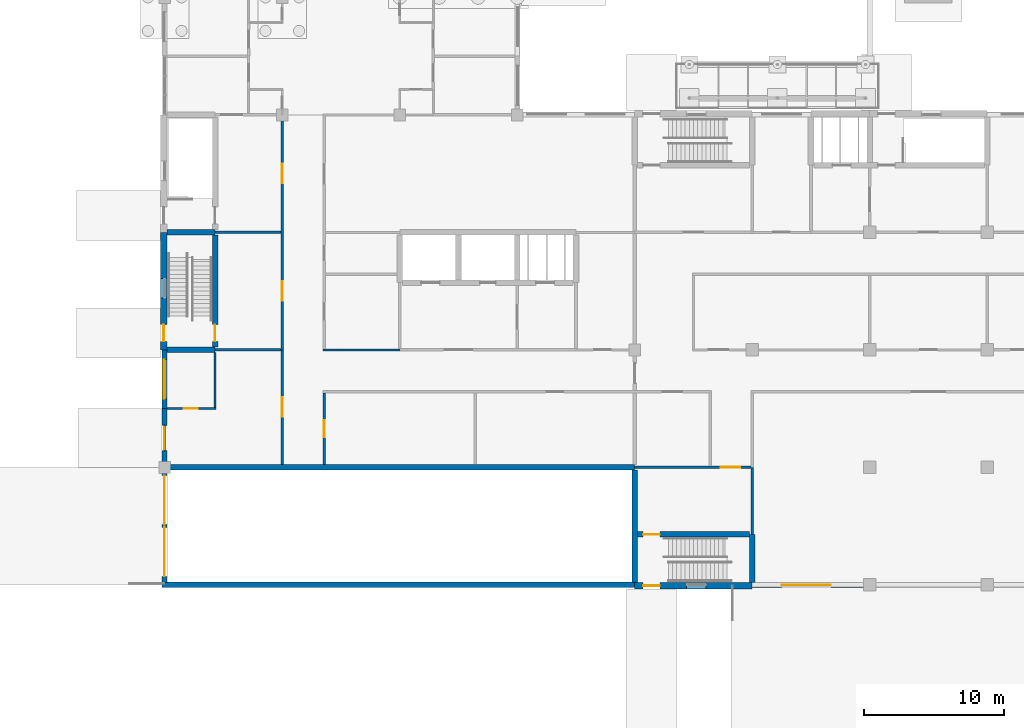
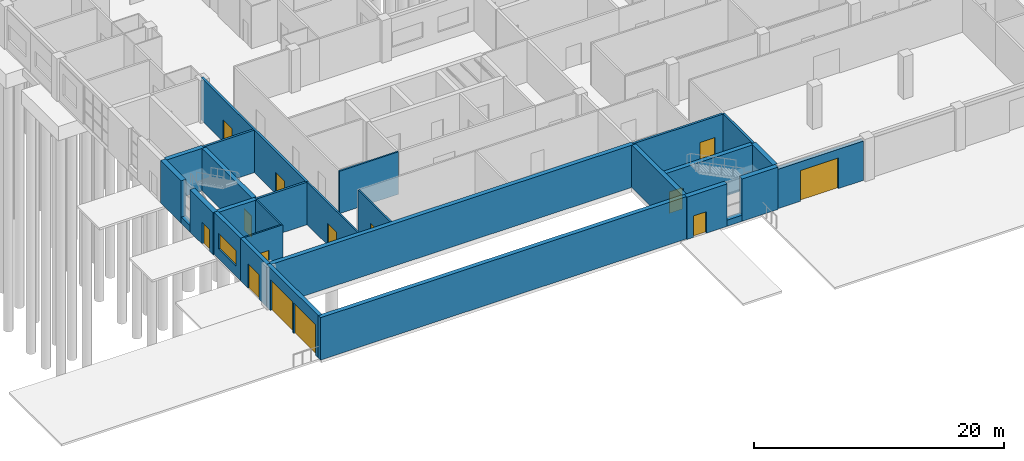
# One storey, part 94 of 138: 28 walls, 14 doors, 1 window, 15 openings.
"""IFC4 building model written with IfcOpenShell, lengths in metres."""

from ifc_helpers import new_model, si_unit, direction, frame, frame_2d, origin, place, context, subcontext, project, spatial, rectangle, extrude, material, layer, layer_set, type_object, element, fill, save


model = new_model("IFC4")

# Units and contexts
model_context = context("Model", 3, precision=1e-05, world=origin(), true_north=direction((0.0, 1.0)))
body_context = subcontext(model_context, "Body", "Model", "MODEL_VIEW")
ifc_project = project(units=[si_unit("LENGTHUNIT", "METRE"), si_unit("AREAUNIT", "SQUARE_METRE"), si_unit("VOLUMEUNIT", "CUBIC_METRE"), si_unit("PLANEANGLEUNIT", "RADIAN"), si_unit("MASSUNIT", "GRAM", prefix="KILO")], contexts=[model_context])

# Site, building, storey
site_placement = place(None, origin())
site = spatial("IfcSite", under=ifc_project, at=site_placement, CompositionType="ELEMENT")
building_placement = place(site_placement, origin())
building = spatial("IfcBuilding", under=site, at=building_placement, Name="Yavir Park General Hospital", CompositionType="ELEMENT")
storey_placement = place(building_placement, origin())
storey = spatial("IfcBuildingStorey", under=building, at=storey_placement, Name="L00", CompositionType="ELEMENT", Elevation=0.0)

# Wall, opening, door
ifc_material_1 = material(Name="Double gypsum board fire partition on steel studs", Category="steel")
ifc_layer_1 = layer(ifc_material_1, 0.199951171875)
ifc_layer_set_1 = layer_set([ifc_layer_1], Name="Double gypsum board fire partition on steel studs")
wall_type_1 = type_object("IfcWallType", Name="Fire-rated partition 200, EI 60", PredefinedType="PARTITIONING", material=ifc_layer_set_1)
wall_1_placement = place(storey_placement, frame((33.60009765625, 8.39990234375, 0.0), z_axis=(0.0, 0.0, 1.0), x_axis=(1.0, 0.0, 0.0)))
wall_1 = element("IfcWall", 1, at=wall_1_placement, inside=storey, type_object=wall_type_1, Name="FP20 L00-009", PredefinedType="PARTITIONING", context=body_context, shape_type="SweptSolid", body=[
    extrude(rectangle(XDim=8.2998046875, YDim=0.199951171875, at=frame_2d((4.14990234375, 0.0))), origin(), (0.0, 0.0, 1.0), 4.139892578125),
])
opening_1_placement = place(wall_1_placement, frame((6.14990234375, 0.0, 0.0)))
opening_1 = element("IfcOpeningElement", 2, at=opening_1_placement, cuts=wall_1, Name="Opening L00.D008", PredefinedType="OPENING", context=body_context, shape_type="SweptSolid", body=[
    extrude(rectangle(XDim=1.39990234375, YDim=2.10009765625, at=frame_2d((0.699951171875, 1.050048828125))), frame((0.0, 0.10986328125, 0.0), z_axis=(0.0, -1.0, 0.0), x_axis=(1.0, 0.0, 0.0)), (0.0, 0.0, 1.0), 0.219970703125),
])
ifc_material_2 = material(Name="Steel frame, fire-resisting leaves with vision panels", Category="steel")
door_type_1 = type_object("IfcDoorType", Name="Double fire door with vision panels 1400 x 2100, EI 60", OperationType="DOUBLE_DOOR_SINGLE_SWING", PredefinedType="DOOR", material=ifc_material_2)
door_1_placement = place(opening_1_placement, origin())
door_1 = element("IfcDoor", 3, at=door_1_placement, inside=storey, type_object=door_type_1, Name="L00.D008", OperationType="SINGLE_SWING_RIGHT", OverallHeight=2.10009765625, OverallWidth=1.39990234375, PredefinedType="DOOR", context=body_context, shape_type="SweptSolid", body=[
    extrude(rectangle(XDim=1.39990234375, YDim=2.10009765625, at=frame_2d((0.699951171875, 1.050048828125))), frame((0.0, 0.030029296875, 0.0), z_axis=(0.0, -1.0, 0.0), x_axis=(1.0, 0.0, 0.0)), (0.0, 0.0, 1.0), 0.06005859375),
])
fill(opening_1, door_1)

# Walls
for number, where, z_axis, x_axis, name in (
    (4, (3.60009765625, 16.800048828125, 0.0), (0.0, 0.0, 1.0), (1.0, 0.0, 0.0), "FP20 L00-031"),
    (5, (3.60009765625, 25.199951171875, 0.0), (0.0, 0.0, 1.0), (1.0, 0.0, 0.0), "FP20 L00-058"),
):
    element("IfcWall", number, at=place(storey_placement, frame(where, z_axis=z_axis, x_axis=x_axis)), inside=storey, type_object=wall_type_1, Name=name, PredefinedType="PARTITIONING", context=body_context, shape_type="SweptSolid", body=[
        extrude(rectangle(XDim=4.699951171875, YDim=0.199951171875, at=frame_2d((2.35009765625, 0.0))), origin(), (0.0, 0.0, 1.0), 4.139892578125),
    ])

# Wall, openings, doors
wall_2_placement = place(storey_placement, frame((8.39990234375, 16.800048828125, 0.0), z_axis=(0.0, 0.0, 1.0), x_axis=(0.0, 1.0, 0.0)))
wall_2 = element("IfcWall", 6, at=wall_2_placement, inside=storey, type_object=wall_type_1, Name="FP20 L00-279", PredefinedType="PARTITIONING", context=body_context, shape_type="SweptSolid", body=[
    extrude(rectangle(XDim=16.800048828125, YDim=0.199951171875, at=frame_2d((8.39990234375, 0.0))), origin(), (0.0, 0.0, 1.0), 4.139892578125),
])
opening_2_placement = place(wall_2_placement, frame((3.5, 0.0, 0.0)))
opening_2 = element("IfcOpeningElement", 7, at=opening_2_placement, cuts=wall_2, Name="Opening L00.D146", PredefinedType="OPENING", context=body_context, shape_type="SweptSolid", body=[
    extrude(rectangle(XDim=1.39990234375, YDim=2.10009765625, at=frame_2d((0.699951171875, 1.050048828125))), frame((0.0, 0.10986328125, 0.0), z_axis=(0.0, -1.0, 0.0), x_axis=(1.0, 0.0, 0.0)), (0.0, 0.0, 1.0), 0.219970703125),
])
opening_3_placement = place(wall_2_placement, frame((11.89990234375, 0.0, 0.0)))
opening_3 = element("IfcOpeningElement", 8, at=opening_3_placement, cuts=wall_2, Name="Opening L00.D147", PredefinedType="OPENING", context=body_context, shape_type="SweptSolid", body=[
    extrude(rectangle(XDim=1.39990234375, YDim=2.10009765625, at=frame_2d((0.699951171875, 1.050048828125))), frame((0.0, 0.10986328125, 0.0), z_axis=(0.0, -1.0, 0.0), x_axis=(1.0, 0.0, 0.0)), (0.0, 0.0, 1.0), 0.219970703125),
])
door_2_placement = place(opening_2_placement, origin())
door_2 = element("IfcDoor", 9, at=door_2_placement, inside=storey, type_object=door_type_1, Name="L00.D146", OperationType="SINGLE_SWING_RIGHT", OverallHeight=2.10009765625, OverallWidth=1.39990234375, PredefinedType="DOOR", context=body_context, shape_type="SweptSolid", body=[
    extrude(rectangle(XDim=1.39990234375, YDim=2.10009765625, at=frame_2d((0.699951171875, 1.050048828125))), frame((0.0, 0.030029296875, 0.0), z_axis=(0.0, -1.0, 0.0), x_axis=(1.0, 0.0, 0.0)), (0.0, 0.0, 1.0), 0.06005859375),
])
fill(opening_2, door_2)
door_3_placement = place(opening_3_placement, origin())
door_3 = element("IfcDoor", 10, at=door_3_placement, inside=storey, type_object=door_type_1, Name="L00.D147", OperationType="SINGLE_SWING_RIGHT", OverallHeight=2.10009765625, OverallWidth=1.39990234375, PredefinedType="DOOR", context=body_context, shape_type="SweptSolid", body=[
    extrude(rectangle(XDim=1.39990234375, YDim=2.10009765625, at=frame_2d((0.699951171875, 1.050048828125))), frame((0.0, 0.030029296875, 0.0), z_axis=(0.0, -1.0, 0.0), x_axis=(1.0, 0.0, 0.0)), (0.0, 0.0, 1.0), 0.06005859375),
])
fill(opening_3, door_3)

# Wall
wall_3_placement = place(storey_placement, frame((42.0, 3.60009765625, 0.0), z_axis=(0.0, 0.0, 1.0), x_axis=(0.0, 1.0, 0.0)))
element("IfcWall", 11, at=wall_3_placement, inside=storey, type_object=wall_type_1, Name="FP20 L00-356", PredefinedType="PARTITIONING", context=body_context, shape_type="SweptSolid", body=[
    extrude(rectangle(XDim=4.7998046875, YDim=0.199951171875, at=frame_2d((2.39990234375, 0.0))), origin(), (0.0, 0.0, 1.0), 4.139892578125),
])

# Wall, opening, door
ifc_material_3 = material(Name="Gypsum board partition on steel studs", Category="steel")
ifc_layer_2 = layer(ifc_material_3, 0.14990234375)
ifc_layer_set_2 = layer_set([ifc_layer_2], Name="Gypsum board partition on steel studs")
wall_type_2 = type_object("IfcWallType", Name="Gypsum board partition 150", PredefinedType="PARTITIONING", material=ifc_layer_set_2)
wall_4_placement = place(storey_placement, frame((0.14990234375, 12.60009765625, 0.0), z_axis=(0.0, 0.0, 1.0), x_axis=(1.0, 0.0, 0.0)))
wall_4 = element("IfcWall", 12, at=wall_4_placement, inside=storey, type_object=wall_type_2, Name="P15 L00-026", PredefinedType="PARTITIONING", context=body_context, shape_type="SweptSolid", body=[
    extrude(rectangle(XDim=3.525146484375, YDim=0.14990234375, at=frame_2d((1.7626953125, 0.0))), origin(), (0.0, 0.0, 1.0), 4.139892578125),
])
opening_4_placement = place(wall_4_placement, frame((1.22509765625, 0.0, 0.0)))
opening_4 = element("IfcOpeningElement", 13, at=opening_4_placement, cuts=wall_4, Name="Opening L00.D023", PredefinedType="OPENING", context=body_context, shape_type="SweptSolid", body=[
    extrude(rectangle(XDim=1.0, YDim=2.10009765625, at=frame_2d((0.5, 1.050048828125))), frame((0.0, 0.0849609375, 0.0), z_axis=(0.0, -1.0, 0.0), x_axis=(1.0, 0.0, 0.0)), (0.0, 0.0, 1.0), 0.169921875),
])
ifc_material_4 = material(Name="Hollow metal frame, solid-core timber leaf", Category="wood")
door_type_2 = type_object("IfcDoorType", Name="Single swing door 1000 x 2100", OperationType="SINGLE_SWING_LEFT", PredefinedType="DOOR", material=ifc_material_4)
door_4_placement = place(opening_4_placement, origin())
door_4 = element("IfcDoor", 14, at=door_4_placement, inside=storey, type_object=door_type_2, Name="L00.D023", OperationType="SINGLE_SWING_LEFT", OverallHeight=2.10009765625, OverallWidth=1.0, PredefinedType="DOOR", context=body_context, shape_type="SweptSolid", body=[
    extrude(rectangle(XDim=1.0, YDim=2.10009765625, at=frame_2d((0.5, 1.050048828125))), frame((0.0, 0.02490234375, 0.0), z_axis=(0.0, -1.0, 0.0), x_axis=(1.0, 0.0, 0.0)), (0.0, 0.0, 1.0), 0.050048828125),
])
fill(opening_4, door_4)

# Walls
wall_5_placement = place(storey_placement, frame((11.324951171875, 16.800048828125, 0.0), z_axis=(0.0, 0.0, 1.0), x_axis=(1.0, 0.0, 0.0)))
element("IfcWall", 15, at=wall_5_placement, inside=storey, type_object=wall_type_2, Name="P15 L00-032", PredefinedType="PARTITIONING", context=body_context, shape_type="SweptSolid", body=[
    extrude(rectangle(XDim=5.47509765625, YDim=0.14990234375, at=frame_2d((2.737548828125, 0.0))), origin(), (0.0, 0.0, 1.0), 4.139892578125),
])
wall_6_placement = place(storey_placement, frame((3.60009765625, 12.675048828125, 0.0), z_axis=(0.0, 0.0, 1.0), x_axis=(0.0, 1.0, 0.0)))
element("IfcWall", 16, at=wall_6_placement, inside=storey, type_object=wall_type_2, Name="P15 L00-251", PredefinedType="PARTITIONING", context=body_context, shape_type="SweptSolid", body=[
    extrude(rectangle(XDim=3.925048828125, YDim=0.14990234375, at=frame_2d((1.96240234375, 0.0))), origin(), (0.0, 0.0, 1.0), 4.139892578125),
])

# Wall, opening, door
wall_7_placement = place(storey_placement, frame((8.39990234375, 8.60009765625, 0.0), z_axis=(0.0, 0.0, 1.0), x_axis=(0.0, 1.0, 0.0)))
wall_7 = element("IfcWall", 17, at=wall_7_placement, inside=storey, type_object=wall_type_2, Name="P15 L00-278", PredefinedType="PARTITIONING", context=body_context, shape_type="SweptSolid", body=[
    extrude(rectangle(XDim=8.199951171875, YDim=0.14990234375, at=frame_2d((4.10009765625, 0.0))), origin(), (0.0, 0.0, 1.0), 4.139892578125),
])
opening_5_placement = place(wall_7_placement, frame((3.39990234375, 0.0, 0.0)))
opening_5 = element("IfcOpeningElement", 18, at=opening_5_placement, cuts=wall_7, Name="Opening L00.D145", PredefinedType="OPENING", context=body_context, shape_type="SweptSolid", body=[
    extrude(rectangle(XDim=1.39990234375, YDim=2.10009765625, at=frame_2d((0.699951171875, 1.050048828125))), frame((0.0, 0.0849609375, 0.0), z_axis=(0.0, -1.0, 0.0), x_axis=(1.0, 0.0, 0.0)), (0.0, 0.0, 1.0), 0.169921875),
])
ifc_material_5 = material(Name="Hollow metal frame, solid-core timber leaf", Category="wood")
door_type_3 = type_object("IfcDoorType", Name="Double swing door 1400 x 2100", OperationType="DOUBLE_DOOR_SINGLE_SWING", PredefinedType="DOOR", material=ifc_material_5)
door_5_placement = place(opening_5_placement, origin())
door_5 = element("IfcDoor", 19, at=door_5_placement, inside=storey, type_object=door_type_3, Name="L00.D145", OperationType="SINGLE_SWING_RIGHT", OverallHeight=2.10009765625, OverallWidth=1.39990234375, PredefinedType="DOOR", context=body_context, shape_type="SweptSolid", body=[
    extrude(rectangle(XDim=1.39990234375, YDim=2.10009765625, at=frame_2d((0.699951171875, 1.050048828125))), frame((0.0, 0.02490234375, 0.0), z_axis=(0.0, -1.0, 0.0), x_axis=(1.0, 0.0, 0.0)), (0.0, 0.0, 1.0), 0.050048828125),
])
fill(opening_5, door_5)

wall_8_placement = place(storey_placement, frame((11.39990234375, 8.60009765625, 0.0), z_axis=(0.0, 0.0, 1.0), x_axis=(0.0, 1.0, 0.0)))
wall_8 = element("IfcWall", 20, at=wall_8_placement, inside=storey, type_object=wall_type_2, Name="P15 L00-295", PredefinedType="PARTITIONING", context=body_context, shape_type="SweptSolid", body=[
    extrude(rectangle(XDim=5.125, YDim=0.14990234375, at=frame_2d((2.5625, 0.0))), origin(), (0.0, 0.0, 1.0), 4.139892578125),
])
opening_6_placement = place(wall_8_placement, frame((1.96240234375, 0.0, 0.0)))
opening_6 = element("IfcOpeningElement", 21, at=opening_6_placement, cuts=wall_8, Name="Opening L00.D159", PredefinedType="OPENING", context=body_context, shape_type="SweptSolid", body=[
    extrude(rectangle(XDim=1.199951171875, YDim=2.10009765625, at=frame_2d((0.60009765625, 1.050048828125))), frame((0.0, 0.0849609375, 0.0), z_axis=(0.0, -1.0, 0.0), x_axis=(1.0, 0.0, 0.0)), (0.0, 0.0, 1.0), 0.169921875),
])
ifc_material_6 = material(Name="Hollow metal frame, solid-core timber leaf", Category="wood")
door_type_4 = type_object("IfcDoorType", Name="Single swing door 1200 x 2100", OperationType="SINGLE_SWING_LEFT", PredefinedType="DOOR", material=ifc_material_6)
door_6_placement = place(opening_6_placement, origin())
door_6 = element("IfcDoor", 22, at=door_6_placement, inside=storey, type_object=door_type_4, Name="L00.D159", OperationType="SINGLE_SWING_RIGHT", OverallHeight=2.10009765625, OverallWidth=1.199951171875, PredefinedType="DOOR", context=body_context, shape_type="SweptSolid", body=[
    extrude(rectangle(XDim=1.199951171875, YDim=2.10009765625, at=frame_2d((0.60009765625, 1.050048828125))), frame((0.0, 0.02490234375, 0.0), z_axis=(0.0, -1.0, 0.0), x_axis=(1.0, 0.0, 0.0)), (0.0, 0.0, 1.0), 0.050048828125),
])
fill(opening_6, door_6)

ifc_material_7 = material(Name="Concrete C30/37 precast panel with 120 mm mineral wool insulation", Category="concrete")
ifc_layer_3 = layer(ifc_material_7, 0.35009765625)
ifc_layer_set_3 = layer_set([ifc_layer_3], Name="Concrete C30/37 precast panel with 120 mm mineral wool insulation")
wall_type_3 = type_object("IfcWallType", Name="Precast cladding panel podium wall 350, E 30", PredefinedType="SOLIDWALL", material=ifc_layer_set_3)
wall_9_placement = place(storey_placement, frame((42.0, -0.02490234375, 0.0), z_axis=(0.0, 0.0, 1.0), x_axis=(1.0, 0.0, 0.0)))
wall_9 = element("IfcWall", 23, at=wall_9_placement, inside=storey, type_object=wall_type_3, Name="XW2 L00-004", PredefinedType="SOLIDWALL", context=body_context, shape_type="SweptSolid", body=[
    extrude(rectangle(XDim=7.949951171875, YDim=0.35009765625, at=frame_2d((3.97509765625, 0.0))), origin(), (0.0, 0.0, 1.0), 3.840087890625),
])
opening_7_placement = place(wall_9_placement, frame((2.125, 0.0, 0.0)))
opening_7 = element("IfcOpeningElement", 24, at=opening_7_placement, cuts=wall_9, Name="Opening L00.X02", PredefinedType="OPENING", context=body_context, shape_type="SweptSolid", body=[
    extrude(rectangle(XDim=3.5, YDim=3.0, at=frame_2d((1.75, 1.5))), frame((0.0, 0.18505859375, 0.0), z_axis=(0.0, -1.0, 0.0), x_axis=(1.0, 0.0, 0.0)), (0.0, 0.0, 1.0), 0.3701171875),
])
ifc_material_8 = material(Name="Insulated steel slat roller shutter", Category="steel")
door_type_5 = type_object("IfcDoorType", Name="Roller shutter gate 3500 x 3000", OperationType="ROLLINGUP", PredefinedType="GATE", material=ifc_material_8)
door_7_placement = place(opening_7_placement, frame((3.5, 0.0, 0.0), x_axis=(-1.0, 0.0, 0.0)))
door_7 = element("IfcDoor", 25, at=door_7_placement, inside=storey, type_object=door_type_5, Name="L00.X02", OperationType="ROLLINGUP", OverallHeight=3.0, OverallWidth=3.5, PredefinedType="GATE", context=body_context, shape_type="SweptSolid", body=[
    extrude(rectangle(XDim=3.5, YDim=3.0, at=frame_2d((1.75, 1.5))), frame((0.0, 0.02490234375, 0.0), z_axis=(0.0, -1.0, 0.0), x_axis=(1.0, 0.0, 0.0)), (0.0, 0.0, 1.0), 0.050048828125),
])
fill(opening_7, door_7)

# Wall, openings, doors
wall_10_placement = place(storey_placement, frame((-0.02490234375, 0.14990234375, 0.0), z_axis=(0.0, 0.0, 1.0), x_axis=(0.0, 1.0, 0.0)))
wall_10 = element("IfcWall", 26, at=wall_10_placement, inside=storey, type_object=wall_type_3, Name="XW2 L00-093", PredefinedType="SOLIDWALL", context=body_context, shape_type="SweptSolid", body=[
    extrude(rectangle(XDim=8.25, YDim=0.35009765625, at=frame_2d((4.125, 0.0))), origin(), (0.0, 0.0, 1.0), 4.139892578125),
])
opening_8_placement = place(wall_10_placement, frame((0.449951171875, 0.0, 0.0)))
opening_8 = element("IfcOpeningElement", 27, at=opening_8_placement, cuts=wall_10, Name="Opening L00.X21", PredefinedType="OPENING", context=body_context, shape_type="SweptSolid", body=[
    extrude(rectangle(XDim=3.5, YDim=3.0, at=frame_2d((1.75, 1.5))), frame((0.0, 0.18505859375, 0.0), z_axis=(0.0, -1.0, 0.0), x_axis=(1.0, 0.0, 0.0)), (0.0, 0.0, 1.0), 0.3701171875),
])
opening_9_placement = place(wall_10_placement, frame((4.14990234375, 0.0, 0.0)))
opening_9 = element("IfcOpeningElement", 28, at=opening_9_placement, cuts=wall_10, Name="Opening L00.X22", PredefinedType="OPENING", context=body_context, shape_type="SweptSolid", body=[
    extrude(rectangle(XDim=3.5, YDim=3.0, at=frame_2d((1.75, 1.5))), frame((0.0, 0.18505859375, 0.0), z_axis=(0.0, -1.0, 0.0), x_axis=(1.0, 0.0, 0.0)), (0.0, 0.0, 1.0), 0.3701171875),
])
door_8_placement = place(opening_8_placement, origin())
door_8 = element("IfcDoor", 29, at=door_8_placement, inside=storey, type_object=door_type_5, Name="L00.X21", OperationType="ROLLINGUP", OverallHeight=3.0, OverallWidth=3.5, PredefinedType="GATE", context=body_context, shape_type="SweptSolid", body=[
    extrude(rectangle(XDim=3.5, YDim=3.0, at=frame_2d((1.75, 1.5))), frame((0.0, 0.02490234375, 0.0), z_axis=(0.0, -1.0, 0.0), x_axis=(1.0, 0.0, 0.0)), (0.0, 0.0, 1.0), 0.050048828125),
])
fill(opening_8, door_8)
door_9_placement = place(opening_9_placement, origin())
door_9 = element("IfcDoor", 30, at=door_9_placement, inside=storey, type_object=door_type_5, Name="L00.X22", OperationType="ROLLINGUP", OverallHeight=3.0, OverallWidth=3.5, PredefinedType="GATE", context=body_context, shape_type="SweptSolid", body=[
    extrude(rectangle(XDim=3.5, YDim=3.0, at=frame_2d((1.75, 1.5))), frame((0.0, 0.02490234375, 0.0), z_axis=(0.0, -1.0, 0.0), x_axis=(1.0, 0.0, 0.0)), (0.0, 0.0, 1.0), 0.050048828125),
])
fill(opening_9, door_9)

# Wall, opening, door
wall_11_placement = place(storey_placement, frame((-0.02490234375, 8.39990234375, 0.0), z_axis=(0.0, 0.0, 1.0), x_axis=(0.0, 1.0, 0.0)))
wall_11 = element("IfcWall", 31, at=wall_11_placement, inside=storey, type_object=wall_type_3, Name="XW2 L00-094", PredefinedType="SOLIDWALL", context=body_context, shape_type="SweptSolid", body=[
    extrude(rectangle(XDim=4.2001953125, YDim=0.35009765625, at=frame_2d((2.10009765625, 0.0))), origin(), (0.0, 0.0, 1.0), 4.139892578125),
])
opening_10_placement = place(wall_11_placement, frame((1.199951171875, 0.0, 0.0)))
opening_10 = element("IfcOpeningElement", 32, at=opening_10_placement, cuts=wall_11, Name="Opening L00.X23", PredefinedType="OPENING", context=body_context, shape_type="SweptSolid", body=[
    extrude(rectangle(XDim=1.800048828125, YDim=2.39990234375, at=frame_2d((0.89990234375, 1.199951171875))), frame((0.0, 0.18505859375, 0.0), z_axis=(0.0, -1.0, 0.0), x_axis=(1.0, 0.0, 0.0)), (0.0, 0.0, 1.0), 0.3701171875),
])
ifc_material_9 = material(Name="Aluminium frame, toughened glass leaves", Category="aluminium")
door_type_6 = type_object("IfcDoorType", Name="Automatic entrance sliding door 1800 x 2400", OperationType="DOUBLE_DOOR_SLIDING", PredefinedType="DOOR", material=ifc_material_9)
door_10_placement = place(opening_10_placement, origin())
door_10 = element("IfcDoor", 33, at=door_10_placement, inside=storey, type_object=door_type_6, Name="L00.X23", OperationType="DOUBLE_DOOR_SLIDING", OverallHeight=2.39990234375, OverallWidth=1.800048828125, PredefinedType="DOOR", context=body_context, shape_type="SweptSolid", body=[
    extrude(rectangle(XDim=1.800048828125, YDim=2.39990234375, at=frame_2d((0.89990234375, 1.199951171875))), frame((0.0, 0.06005859375, 0.0), z_axis=(0.0, -1.0, 0.0), x_axis=(1.0, 0.0, 0.0)), (0.0, 0.0, 1.0), 0.1201171875),
])
fill(opening_10, door_10)

# Wall, opening, window
wall_12_placement = place(storey_placement, frame((-0.02490234375, 12.60009765625, 0.0), z_axis=(0.0, 0.0, 1.0), x_axis=(0.0, 1.0, 0.0)))
wall_12 = element("IfcWall", 34, at=wall_12_placement, inside=storey, type_object=wall_type_3, Name="XW2 L00-095", PredefinedType="SOLIDWALL", context=body_context, shape_type="SweptSolid", body=[
    extrude(rectangle(XDim=4.199951171875, YDim=0.35009765625, at=frame_2d((2.10009765625, 0.0))), origin(), (0.0, 0.0, 1.0), 4.139892578125),
])
opening_11_placement = place(wall_12_placement, frame((0.699951171875, 0.0, 1.0)))
opening_11 = element("IfcOpeningElement", 35, at=opening_11_placement, cuts=wall_12, Name="Opening WRB2", PredefinedType="OPENING", context=body_context, shape_type="SweptSolid", body=[
    extrude(rectangle(XDim=2.800048828125, YDim=1.5, at=frame_2d((1.39990234375, 0.75))), frame((0.0, 0.18505859375, 0.0), z_axis=(0.0, -1.0, 0.0), x_axis=(1.0, 0.0, 0.0)), (0.0, 0.0, 1.0), 0.3701171875),
])
ifc_material_10 = material(Name="Aluminium frame, double glazed unit", Category="aluminium")
window_type = type_object("IfcWindowType", Name="Tall ribbon window 2800 x 1500", PartitioningType="DOUBLE_PANEL_VERTICAL", PredefinedType="WINDOW", material=ifc_material_10)
window_placement = place(opening_11_placement, origin())
window = element("IfcWindow", 36, at=window_placement, inside=storey, type_object=window_type, Name="WRB2 L00-031", OverallHeight=1.5, OverallWidth=2.800048828125, PartitioningType="DOUBLE_PANEL_VERTICAL", PredefinedType="WINDOW", context=body_context, shape_type="SweptSolid", body=[
    extrude(rectangle(XDim=2.800048828125, YDim=1.5, at=frame_2d((1.39990234375, 0.75))), frame((0.0, 0.030029296875, 0.0), z_axis=(0.0, -1.0, 0.0), x_axis=(1.0, 0.0, 0.0)), (0.0, 0.0, 1.0), 0.06005859375),
])
fill(opening_11, window)

# Wall
ifc_material_11 = material(Name="Concrete C35/45", Category="concrete")
ifc_layer_4 = layer(ifc_material_11, 0.39990234375)
ifc_layer_set_4 = layer_set([ifc_layer_4], Name="Concrete C35/45")
wall_type_4 = type_object("IfcWallType", Name="RC WALL RAMP SIDE 400", PredefinedType="SOLIDWALL", material=ifc_layer_set_4)
wall_13_placement = place(storey_placement, frame((-0.199951171875, 0.0, 0.0), z_axis=(0.0, 0.0, 1.0), x_axis=(1.0, 0.0, 0.0)))
element("IfcWall", 37, at=wall_13_placement, inside=storey, type_object=wall_type_4, Name="W:RAMP:S", PredefinedType="SOLIDWALL", context=body_context, shape_type="SweptSolid", body=[
    extrude(rectangle(XDim=34.0, YDim=0.39990234375, at=frame_2d((17.0, 0.0))), origin(), (0.0, 0.0, 1.0), 4.139892578125),
])

# Wall, opening, door
ifc_material_12 = material(Name="Concrete C35/45", Category="concrete")
ifc_layer_5 = layer(ifc_material_12, 0.39990234375)
ifc_layer_set_5 = layer_set([ifc_layer_5], Name="Concrete C35/45")
wall_type_5 = type_object("IfcWallType", Name="Reinforced concrete core wall 400, REI 150", PredefinedType="SHEAR", material=ifc_layer_set_5)
wall_14_placement = place(storey_placement, frame((33.800048828125, 3.60009765625, 0.0), z_axis=(0.0, 0.0, 1.0), x_axis=(1.0, 0.0, 0.0)))
wall_14 = element("IfcWall", 38, at=wall_14_placement, inside=storey, type_object=wall_type_5, Name="CW40 L00-001", PredefinedType="SHEAR", context=body_context, shape_type="SweptSolid", body=[
    extrude(rectangle(XDim=8.0, YDim=0.39990234375, at=frame_2d((4.0, 0.0))), origin(), (0.0, 0.0, 1.0), 4.139892578125),
])
opening_12_placement = place(wall_14_placement, frame((0.39990234375, 0.0, 0.0)))
opening_12 = element("IfcOpeningElement", 39, at=opening_12_placement, cuts=wall_14, Name="Opening L00.D001", PredefinedType="OPENING", context=body_context, shape_type="SweptSolid", body=[
    extrude(rectangle(XDim=1.199951171875, YDim=2.10009765625, at=frame_2d((0.60009765625, 1.050048828125))), frame((0.0, 0.2099609375, 0.0), z_axis=(0.0, -1.0, 0.0), x_axis=(1.0, 0.0, 0.0)), (0.0, 0.0, 1.0), 0.419921875),
])
ifc_material_13 = material(Name="Steel frame, fire-resisting timber leaf", Category="steel")
door_type_7 = type_object("IfcDoorType", Name="Fire door 1200 x 2100, EI 60", OperationType="SINGLE_SWING_LEFT", PredefinedType="DOOR", material=ifc_material_13)
door_11_placement = place(opening_12_placement, origin())
door_11 = element("IfcDoor", 40, at=door_11_placement, inside=storey, type_object=door_type_7, Name="L00.D001", OperationType="SINGLE_SWING_RIGHT", OverallHeight=2.10009765625, OverallWidth=1.199951171875, PredefinedType="DOOR", context=body_context, shape_type="SweptSolid", body=[
    extrude(rectangle(XDim=1.199951171875, YDim=2.10009765625, at=frame_2d((0.60009765625, 1.050048828125))), frame((0.0, 0.02490234375, 0.0), z_axis=(0.0, -1.0, 0.0), x_axis=(1.0, 0.0, 0.0)), (0.0, 0.0, 1.0), 0.050048828125),
])
fill(opening_12, door_11)

# Walls
wall_15_placement = place(storey_placement, frame((0.14990234375, 8.39990234375, 0.0), z_axis=(0.0, 0.0, 1.0), x_axis=(1.0, 0.0, 0.0)))
element("IfcWall", 41, at=wall_15_placement, inside=storey, type_object=wall_type_5, Name="CW40 L00-008", PredefinedType="SHEAR", context=body_context, shape_type="SweptSolid", body=[
    extrude(rectangle(XDim=33.4501953125, YDim=0.39990234375, at=frame_2d((16.72509765625, 0.0))), origin(), (0.0, 0.0, 1.0), 4.139892578125),
])
for number, where, z_axis, x_axis, name in (
    (42, (0.14990234375, 16.800048828125, 0.0), (0.0, 0.0, 1.0), (1.0, 0.0, 0.0), "CW40 L00-030"),
    (43, (0.14990234375, 25.199951171875, 0.0), (0.0, 0.0, 1.0), (1.0, 0.0, 0.0), "CW40 L00-057"),
):
    element("IfcWall", number, at=place(storey_placement, frame(where, z_axis=z_axis, x_axis=x_axis)), inside=storey, type_object=wall_type_5, Name=name, PredefinedType="SHEAR", context=body_context, shape_type="SweptSolid", body=[
        extrude(rectangle(XDim=3.4501953125, YDim=0.39990234375, at=frame_2d((1.72509765625, 0.0))), origin(), (0.0, 0.0, 1.0), 4.139892578125),
    ])

# Wall, opening, door
wall_16_placement = place(storey_placement, frame((3.60009765625, 17.0, 0.0), z_axis=(0.0, 0.0, 1.0), x_axis=(0.0, 1.0, 0.0)))
wall_16 = element("IfcWall", 44, at=wall_16_placement, inside=storey, type_object=wall_type_5, Name="CW40 L00-252", PredefinedType="SHEAR", context=body_context, shape_type="SweptSolid", body=[
    extrude(rectangle(XDim=8.0, YDim=0.39990234375, at=frame_2d((4.0, 0.0))), origin(), (0.0, 0.0, 1.0), 4.139892578125),
])
opening_13_placement = place(wall_16_placement, frame((0.39990234375, 0.0, 0.0)))
opening_13 = element("IfcOpeningElement", 45, at=opening_13_placement, cuts=wall_16, Name="Opening L00.D127", PredefinedType="OPENING", context=body_context, shape_type="SweptSolid", body=[
    extrude(rectangle(XDim=1.199951171875, YDim=2.10009765625, at=frame_2d((0.60009765625, 1.050048828125))), frame((0.0, 0.2099609375, 0.0), z_axis=(0.0, -1.0, 0.0), x_axis=(1.0, 0.0, 0.0)), (0.0, 0.0, 1.0), 0.419921875),
])
door_12_placement = place(opening_13_placement, origin())
door_12 = element("IfcDoor", 46, at=door_12_placement, inside=storey, type_object=door_type_7, Name="L00.D127", OperationType="SINGLE_SWING_LEFT", OverallHeight=2.10009765625, OverallWidth=1.199951171875, PredefinedType="DOOR", context=body_context, shape_type="SweptSolid", body=[
    extrude(rectangle(XDim=1.199951171875, YDim=2.10009765625, at=frame_2d((0.60009765625, 1.050048828125))), frame((0.0, 0.02490234375, 0.0), z_axis=(0.0, -1.0, 0.0), x_axis=(1.0, 0.0, 0.0)), (0.0, 0.0, 1.0), 0.050048828125),
])
fill(opening_13, door_12)

# Walls
wall_17_placement = place(storey_placement, frame((33.60009765625, 0.14990234375, 0.0), z_axis=(0.0, 0.0, 1.0), x_axis=(0.0, 1.0, 0.0)))
element("IfcWall", 47, at=wall_17_placement, inside=storey, type_object=wall_type_5, Name="CW40 L00-346", PredefinedType="SHEAR", context=body_context, shape_type="SweptSolid", body=[
    extrude(rectangle(XDim=8.050048828125, YDim=0.39990234375, at=frame_2d((4.02490234375, 0.0))), origin(), (0.0, 0.0, 1.0), 4.139892578125),
])
wall_18_placement = place(storey_placement, frame((42.0, 0.14990234375, 0.0), z_axis=(0.0, 0.0, 1.0), x_axis=(0.0, 1.0, 0.0)))
element("IfcWall", 48, at=wall_18_placement, inside=storey, type_object=wall_type_5, Name="CW40 L00-355", PredefinedType="SHEAR", context=body_context, shape_type="SweptSolid", body=[
    extrude(rectangle(XDim=3.4501953125, YDim=0.39990234375, at=frame_2d((1.72509765625, 0.0))), origin(), (0.0, 0.0, 1.0), 4.139892578125),
])

# Wall, opening, door
ifc_material_14 = material(Name="Concrete C30/37 precast panel with 150 mm mineral wool insulation", Category="concrete")
ifc_layer_6 = layer(ifc_material_14, 0.449951171875)
ifc_layer_set_6 = layer_set([ifc_layer_6], Name="Concrete C30/37 precast panel with 150 mm mineral wool insulation")
wall_type_6 = type_object("IfcWallType", Name="Stair enclosure wall 450, REI 150", PredefinedType="SOLIDWALL", material=ifc_layer_set_6)
wall_19_placement = place(storey_placement, frame((33.60009765625, -0.074951171875, 0.0), z_axis=(0.0, 0.0, 1.0), x_axis=(1.0, 0.0, 0.0)))
wall_19 = element("IfcWall", 49, at=wall_19_placement, inside=storey, type_object=wall_type_6, Name="XW6 L00-001", PredefinedType="SOLIDWALL", context=body_context, shape_type="SweptSolid", body=[
    extrude(rectangle(XDim=3.699951171875, YDim=0.449951171875, at=frame_2d((1.85009765625, 0.0))), origin(), (0.0, 0.0, 1.0), 4.139892578125),
])
opening_14_placement = place(wall_19_placement, frame((0.60009765625, 0.0, 0.0)))
opening_14 = element("IfcOpeningElement", 50, at=opening_14_placement, cuts=wall_19, Name="Opening L00.X01", PredefinedType="OPENING", context=body_context, shape_type="SweptSolid", body=[
    extrude(rectangle(XDim=1.199951171875, YDim=2.10009765625, at=frame_2d((0.60009765625, 1.050048828125))), frame((0.0, 0.23486328125, 0.0), z_axis=(0.0, -1.0, 0.0), x_axis=(1.0, 0.0, 0.0)), (0.0, 0.0, 1.0), 0.469970703125),
])
door_13_placement = place(opening_14_placement, frame((1.199951171875, 0.0, 0.0), x_axis=(-1.0, 0.0, 0.0)))
door_13 = element("IfcDoor", 51, at=door_13_placement, inside=storey, type_object=door_type_4, Name="L00.X01", OperationType="SINGLE_SWING_LEFT", OverallHeight=2.10009765625, OverallWidth=1.199951171875, PredefinedType="DOOR", context=body_context, shape_type="SweptSolid", body=[
    extrude(rectangle(XDim=1.199951171875, YDim=2.10009765625, at=frame_2d((0.60009765625, 1.050048828125))), frame((0.0, 0.02490234375, 0.0), z_axis=(0.0, -1.0, 0.0), x_axis=(1.0, 0.0, 0.0)), (0.0, 0.0, 1.0), 0.050048828125),
])
fill(opening_14, door_13)

# Walls
wall_20_placement = place(storey_placement, frame((38.699951171875, -0.074951171875, 0.0), z_axis=(0.0, 0.0, 1.0), x_axis=(1.0, 0.0, 0.0)))
element("IfcWall", 52, at=wall_20_placement, inside=storey, type_object=wall_type_6, Name="XW6 L00-002", PredefinedType="SOLIDWALL", context=body_context, shape_type="SweptSolid", body=[
    extrude(rectangle(XDim=3.300048828125, YDim=0.449951171875, at=frame_2d((1.64990234375, 0.0))), origin(), (0.0, 0.0, 1.0), 4.139892578125),
])
wall_21_placement = place(storey_placement, frame((37.300048828125, -0.074951171875, 0.0), z_axis=(0.0, 0.0, 1.0), x_axis=(1.0, 0.0, 0.0)))
element("IfcWall", 53, at=wall_21_placement, inside=storey, type_object=wall_type_6, Name="XW6 L00-003", PredefinedType="SOLIDWALL", context=body_context, shape_type="SweptSolid", body=[
    extrude(rectangle(XDim=1.39990234375, YDim=0.449951171875, at=frame_2d((0.699951171875, 0.0))), origin(), (0.0, 0.0, 1.0), 0.60009765625),
])

# Wall, opening, door
wall_22_placement = place(storey_placement, frame((-0.074951171875, 16.800048828125, 0.0), z_axis=(0.0, 0.0, 1.0), x_axis=(0.0, 1.0, 0.0)))
wall_22 = element("IfcWall", 54, at=wall_22_placement, inside=storey, type_object=wall_type_6, Name="XW6 L00-096", PredefinedType="SOLIDWALL", context=body_context, shape_type="SweptSolid", body=[
    extrude(rectangle(XDim=3.699951171875, YDim=0.449951171875, at=frame_2d((1.85009765625, 0.0))), origin(), (0.0, 0.0, 1.0), 4.139892578125),
])
opening_15_placement = place(wall_22_placement, frame((0.60009765625, 0.0, 0.0)))
opening_15 = element("IfcOpeningElement", 55, at=opening_15_placement, cuts=wall_22, Name="Opening L00.X24", PredefinedType="OPENING", context=body_context, shape_type="SweptSolid", body=[
    extrude(rectangle(XDim=1.199951171875, YDim=2.10009765625, at=frame_2d((0.60009765625, 1.050048828125))), frame((0.0, 0.23486328125, 0.0), z_axis=(0.0, -1.0, 0.0), x_axis=(1.0, 0.0, 0.0)), (0.0, 0.0, 1.0), 0.469970703125),
])
door_14_placement = place(opening_15_placement, origin())
door_14 = element("IfcDoor", 56, at=door_14_placement, inside=storey, type_object=door_type_4, Name="L00.X24", OperationType="SINGLE_SWING_RIGHT", OverallHeight=2.10009765625, OverallWidth=1.199951171875, PredefinedType="DOOR", context=body_context, shape_type="SweptSolid", body=[
    extrude(rectangle(XDim=1.199951171875, YDim=2.10009765625, at=frame_2d((0.60009765625, 1.050048828125))), frame((0.0, 0.02490234375, 0.0), z_axis=(0.0, -1.0, 0.0), x_axis=(1.0, 0.0, 0.0)), (0.0, 0.0, 1.0), 0.050048828125),
])
fill(opening_15, door_14)

# Walls
wall_23_placement = place(storey_placement, frame((-0.074951171875, 21.89990234375, 0.0), z_axis=(0.0, 0.0, 1.0), x_axis=(0.0, 1.0, 0.0)))
element("IfcWall", 57, at=wall_23_placement, inside=storey, type_object=wall_type_6, Name="XW6 L00-097", PredefinedType="SOLIDWALL", context=body_context, shape_type="SweptSolid", body=[
    extrude(rectangle(XDim=3.300048828125, YDim=0.449951171875, at=frame_2d((1.64990234375, 0.0))), origin(), (0.0, 0.0, 1.0), 4.139892578125),
])
wall_24_placement = place(storey_placement, frame((-0.074951171875, 20.5, 0.0), z_axis=(0.0, 0.0, 1.0), x_axis=(0.0, 1.0, 0.0)))
element("IfcWall", 58, at=wall_24_placement, inside=storey, type_object=wall_type_6, Name="XW6 L00-098", PredefinedType="SOLIDWALL", context=body_context, shape_type="SweptSolid", body=[
    extrude(rectangle(XDim=1.39990234375, YDim=0.449951171875, at=frame_2d((0.699951171875, 0.0))), origin(), (0.0, 0.0, 1.0), 0.60009765625),
])

save(model, "model.ifc")
